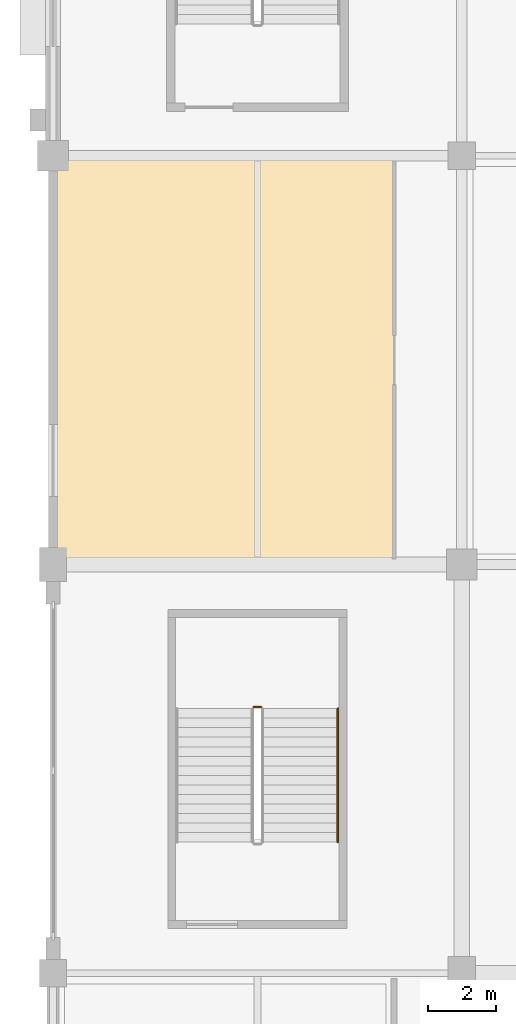
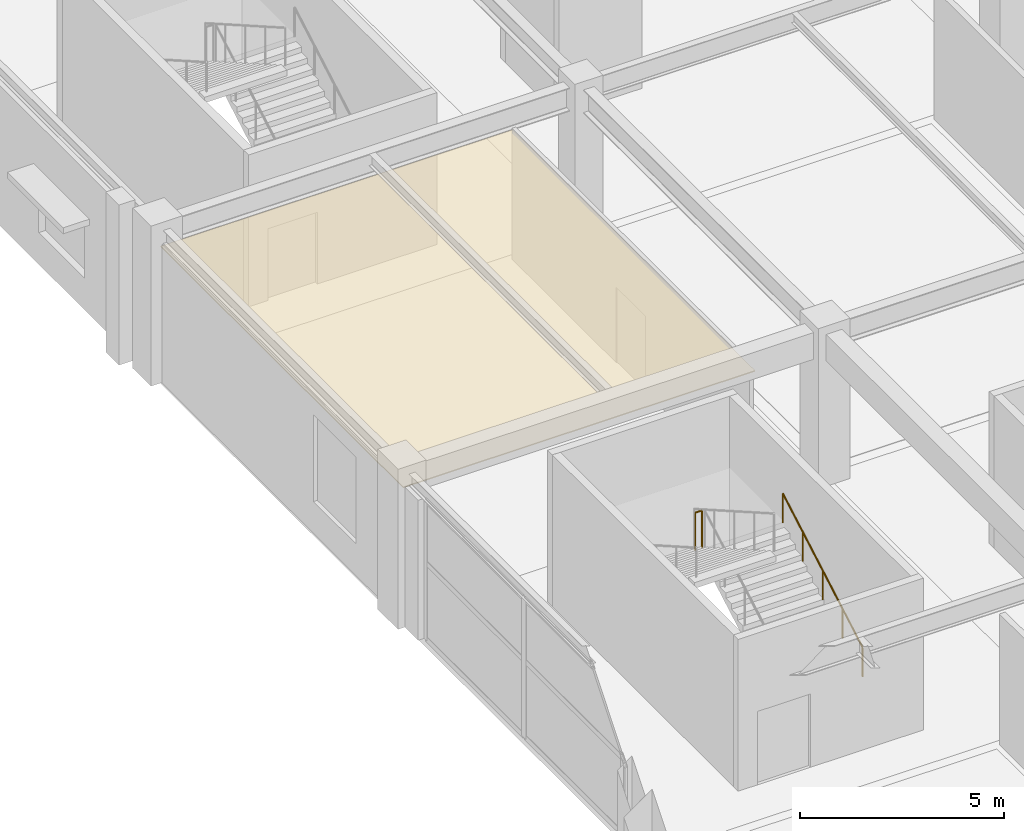
# One storey, part 104 of 134: 2 railings, 1 covering.
"""IFC4 building model written with IfcOpenShell, lengths in metres."""

from ifc_helpers import new_model, si_unit, direction, frame, origin, origin_2d, place, context, subcontext, project, spatial, polyline, circle, outline, extrude, material, layer, layer_set, type_object, element, save


model = new_model("IFC4")

# Units and contexts
model_context = context("Model", 3, precision=1e-05, world=origin(), true_north=direction((0.0, 1.0)))
body_context = subcontext(model_context, "Body", "Model", "MODEL_VIEW")
ifc_project = project(units=[si_unit("LENGTHUNIT", "METRE"), si_unit("AREAUNIT", "SQUARE_METRE"), si_unit("VOLUMEUNIT", "CUBIC_METRE"), si_unit("PLANEANGLEUNIT", "RADIAN"), si_unit("MASSUNIT", "GRAM", prefix="KILO")], contexts=[model_context])

# Site, building, storey
site_placement = place(None, origin())
site = spatial("IfcSite", under=ifc_project, at=site_placement, CompositionType="ELEMENT")
building_placement = place(site_placement, origin())
building = spatial("IfcBuilding", under=site, at=building_placement, Name="Kazenohara Klinker Stadium", CompositionType="ELEMENT")
storey_placement = place(building_placement, frame((0.0, 0.0, 5.39990234375)))
storey = spatial("IfcBuildingStorey", under=building, at=storey_placement, Name="L01", CompositionType="ELEMENT", Elevation=5.39990234375)

# Covering
ifc_material_1 = material(Name="Perforated acoustic mineral-fibre ceiling tile", Category="gypsum")
ifc_layer_1 = layer(ifc_material_1, 0.030029296875)
ifc_layer_set_1 = layer_set([ifc_layer_1], Name="Perforated acoustic mineral-fibre ceiling tile")
covering_type = type_object("IfcCoveringType", Name="COV-CEIL-01", PredefinedType="CEILING", material=ifc_layer_set_1)
covering_placement = place(storey_placement, frame((0.0, 0.0, 3.75)))
element("IfcCovering", 1, at=covering_placement, inside=storey, type_object=covering_type, Name="Suspended acoustic ceiling CL01 Family Sensory Hospitality Lounge L01-0006A", PredefinedType="CEILING", context=body_context, shape_type="SweptSolid", body=[
    extrude(outline(polyline([(0.06005859375, 72.0400390625), (10.0400390625, 72.0400390625), (10.0400390625, 83.9599609375), (0.06005859375, 83.9599609375), (0.06005859375, 72.0400390625)])), origin(), (0.0, 0.0, 1.0), 0.030029296875),
])

# Railings
ifc_material_2 = material(Name="Brushed stainless steel 304 handrail", Category="steel")
ifc_layer_2 = layer(ifc_material_2, 0.050048828125)
ifc_layer_set_2 = layer_set([ifc_layer_2], Name="Brushed stainless steel 304 handrail")
railing_type_1 = type_object("IfcRailingType", Name="RL-HND-900", PredefinedType="HANDRAIL", material=ifc_layer_set_2)
railing_1_placement = place(storey_placement, frame((8.360107421875, 63.85009765625, 0.16015625)))
element("IfcRailing", 2, at=railing_1_placement, inside=storey, type_object=railing_type_1, Name="L01 ST02 stair handrail 1", PredefinedType="HANDRAIL", context=body_context, shape_type="SweptSolid", body=[
    extrude(circle(Radius=0.02392578125, at=origin_2d()), frame((0.0, 0.0, 0.8759765625), z_axis=(0.0, 0.868239814368, 0.496144761885), x_axis=(-1.0, 0.0, 0.0)), (0.0, 0.0, 1.0), 4.514892578125),
    extrude(circle(Radius=0.02099609375, at=origin_2d()), origin(), (0.0, 0.0, 1.0), 0.851806640625),
    extrude(circle(Radius=0.02099609375, at=origin_2d()), frame((0.0, 0.97998046875, 0.56005859375)), (0.0, 0.0, 1.0), 0.851806640625),
    extrude(circle(Radius=0.02099609375, at=origin_2d()), frame((0.0, 1.9599609375, 1.1201171875)), (0.0, 0.0, 1.0), 0.851806640625),
    extrude(circle(Radius=0.02099609375, at=origin_2d()), frame((0.0, 2.93994140625, 1.679931640625)), (0.0, 0.0, 1.0), 0.851806640625),
    extrude(circle(Radius=0.02099609375, at=origin_2d()), frame((0.0, 3.919921875, 2.239990234375)), (0.0, 0.0, 1.0), 0.851806640625),
])
ifc_material_3 = material(Name="Painted steel stairwell guardrail", Category="steel")
ifc_layer_3 = layer(ifc_material_3, 0.06005859375)
ifc_layer_set_3 = layer_set([ifc_layer_3], Name="Painted steel stairwell guardrail")
railing_type_2 = type_object("IfcRailingType", Name="RL-STG-1120", PredefinedType="GUARDRAIL", material=ifc_layer_set_3)
railing_2_placement = place(storey_placement, frame((6.10009765625, 67.820068359375, 2.400146484375)))
element("IfcRailing", 3, at=railing_2_placement, inside=storey, type_object=railing_type_2, Name="L01 ST02 stair guard 2", PredefinedType="GUARDRAIL", context=body_context, shape_type="SweptSolid", body=[
    extrude(circle(Radius=0.02392578125, at=origin_2d()), frame((0.0, 0.0, 1.1259765625), z_axis=(-1.0, 0.0, 0.0), x_axis=(0.0, -1.0, 0.0)), (0.0, 0.0, 1.0), 0.2001953125),
    extrude(circle(Radius=0.02099609375, at=origin_2d()), origin(), (0.0, 0.0, 1.0), 1.101806640625),
    extrude(circle(Radius=0.02099609375, at=origin_2d()), frame((-0.2001953125, 0.0, 0.0)), (0.0, 0.0, 1.0), 1.101806640625),
])

save(model, "model.ifc")
